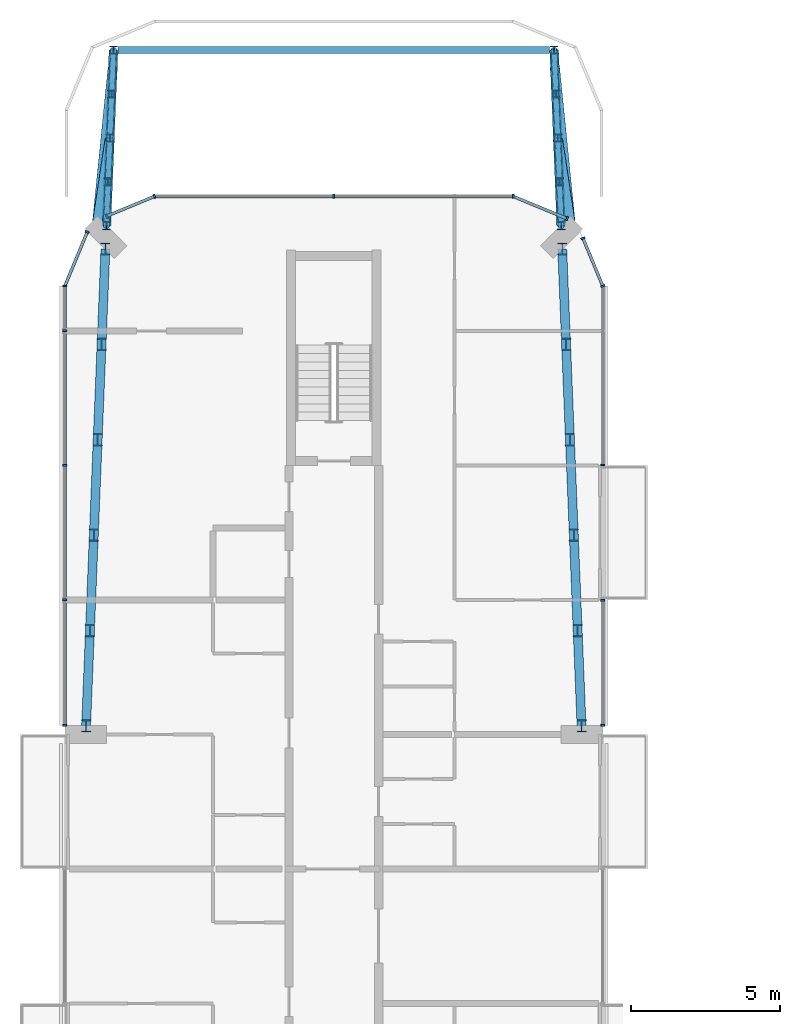
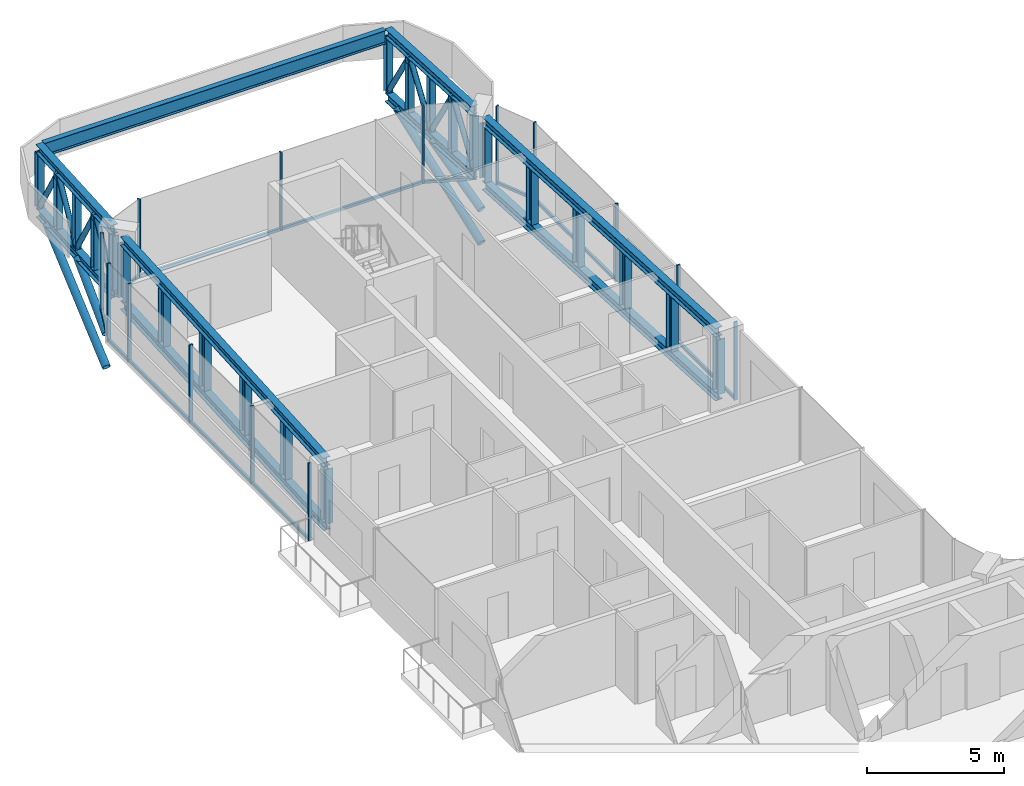
# One storey, part 7 of 17: 66 members, 1 beam, 8 elements without a shape of their own.
"""IFC4 building model written with IfcOpenShell, lengths in metres."""

from ifc_helpers import new_model, si_unit, direction, frame, origin, origin_2d, place, context, subcontext, project, spatial, rectangle, hollow_circle, i_section, extrude, material, layer, layer_set, material_profile, profile_set, type_object, element, aggregate, save


model = new_model("IFC4")

# Units and contexts
model_context = context("Model", 3, precision=1e-05, world=origin(), true_north=direction((0.0, 1.0)))
body_context = subcontext(model_context, "Body", "Model", "MODEL_VIEW")
ifc_project = project(units=[si_unit("LENGTHUNIT", "METRE"), si_unit("AREAUNIT", "SQUARE_METRE"), si_unit("VOLUMEUNIT", "CUBIC_METRE"), si_unit("PLANEANGLEUNIT", "RADIAN"), si_unit("MASSUNIT", "GRAM", prefix="KILO")], contexts=[model_context])

# Site, building, storey
site_placement = place(None, origin())
site = spatial("IfcSite", under=ifc_project, at=site_placement, CompositionType="ELEMENT")
building_placement = place(site_placement, origin())
building = spatial("IfcBuilding", under=site, at=building_placement, Name="Plateau Cross Towers", CompositionType="ELEMENT")
storey_placement = place(building_placement, frame((0.0, 0.0, 222.39990234375)))
storey = spatial("IfcBuildingStorey", under=building, at=storey_placement, Name="L58", CompositionType="ELEMENT", Elevation=222.39990234375)

# Members
ifc_material_1 = material(Name="Steel S355", Category="steel")
ifc_material_profile_1 = material_profile(ifc_material_1, i_section(OverallWidth=0.300048828125, OverallDepth=0.39990234375, WebThickness=0.013427734375, FlangeThickness=0.02392578125, FilletRadius=0.027099609375, at=origin_2d()), Name="HE 400 B")
ifc_profile_set_1 = profile_set([ifc_material_profile_1], Name="Steel S355")
member_type_1 = type_object("IfcMemberType", Name="Cantilever truss back-span chord HE 400 B", PredefinedType="CHORD", material=ifc_profile_set_1)
for number, where, z_axis, x_axis, name in (
    (1, (0.71142578125, 36.280029296875, 0.2001953125), (0.040477157372, 0.999180464046, 0.0), (-0.999180464046, 0.040477157372, 0.0), "CT-W-B1"),
    (2, (0.71142578125, 36.280029296875, 3.050048828125), (0.040477157372, 0.999180464046, 0.0), (-0.999180464046, 0.040477157372, 0.0), "CT-W-T1"),
    (3, (17.28857421875, 36.280029296875, 0.2001953125), (-0.040477157372, 0.999180464046, 0.0), (-0.999180464046, -0.040477157372, 0.0), "CT-E-B1"),
    (4, (17.28857421875, 36.280029296875, 3.050048828125), (-0.040477157372, 0.999180464046, 0.0), (-0.999180464046, -0.040477157372, 0.0), "CT-E-T1"),
):
    element("IfcMember", number, at=place(storey_placement, frame(where, z_axis=z_axis, x_axis=x_axis)), inside=storey, type_object=member_type_1, Name=name, PredefinedType="CHORD", context=body_context, shape_type="SweptSolid", body=[
        extrude(i_section(OverallWidth=0.300048828125, OverallDepth=0.39990234375, WebThickness=0.013427734375, FlangeThickness=0.02392578125, FilletRadius=0.027099609375, at=origin_2d()), origin(), (0.0, 0.0, 1.0), 15.9716796875),
    ])
ifc_material_profile_2 = material_profile(ifc_material_1, i_section(OverallWidth=0.300048828125, OverallDepth=0.39990234375, WebThickness=0.013427734375, FlangeThickness=0.02392578125, FilletRadius=0.027099609375, at=origin_2d()), Name="HE 400 B")
ifc_profile_set_2 = profile_set([ifc_material_profile_2], Name="Steel S355")
member_type_2 = type_object("IfcMemberType", Name="Cantilever truss back-span post HE 400 B", PredefinedType="POST", material=ifc_profile_set_2)
for number, where, z_axis, x_axis, name in (
    (5, (0.71142578125, 36.280029296875, 0.400146484375), (0.0, 0.0, 1.0), (1.0, 0.0, 0.0), "CT-W-V1"),
    (6, (0.840576171875, 39.4716796875, 0.400146484375), (0.0, 0.0, 1.0), (1.0, 0.0, 0.0), "CT-W-V2"),
    (7, (0.969970703125, 42.663330078125, 0.400146484375), (0.0, 0.0, 1.0), (1.0, 0.0, 0.0), "CT-W-V3"),
    (8, (1.099365234375, 45.855224609375, 0.400146484375), (0.0, 0.0, 1.0), (1.0, 0.0, 0.0), "CT-W-V4"),
    (9, (1.228515625, 49.046875, 0.400146484375), (0.0, 0.0, 1.0), (1.0, 0.0, 0.0), "CT-W-V5"),
    (10, (1.35791015625, 52.238525390625, 0.400146484375), (0.0, 0.0, 1.0), (1.0, 0.0, 0.0), "CT-W-V6"),
    (11, (17.28857421875, 36.280029296875, 0.400146484375), (0.0, 0.0, 1.0), (1.0, 0.0, 0.0), "CT-E-V1"),
    (12, (17.159423828125, 39.4716796875, 0.400146484375), (0.0, 0.0, 1.0), (1.0, 0.0, 0.0), "CT-E-V2"),
    (13, (17.030029296875, 42.663330078125, 0.400146484375), (0.0, 0.0, 1.0), (1.0, 0.0, 0.0), "CT-E-V3"),
    (14, (16.900634765625, 45.855224609375, 0.400146484375), (0.0, 0.0, 1.0), (1.0, 0.0, 0.0), "CT-E-V4"),
    (15, (16.771484375, 49.046875, 0.400146484375), (0.0, 0.0, 1.0), (1.0, 0.0, 0.0), "CT-E-V5"),
    (16, (16.64208984375, 52.238525390625, 0.400146484375), (0.0, 0.0, 1.0), (1.0, 0.0, 0.0), "CT-E-V6"),
):
    element("IfcMember", number, at=place(storey_placement, frame(where, z_axis=z_axis, x_axis=x_axis)), inside=storey, type_object=member_type_2, Name=name, PredefinedType="POST", context=body_context, shape_type="SweptSolid", body=[
        extrude(i_section(OverallWidth=0.300048828125, OverallDepth=0.39990234375, WebThickness=0.013427734375, FlangeThickness=0.02392578125, FilletRadius=0.027099609375, at=origin_2d()), origin(), (0.0, 0.0, 1.0), 2.449951171875),
    ])
ifc_material_profile_3 = material_profile(ifc_material_1, i_section(OverallWidth=0.300048828125, OverallDepth=0.39990234375, WebThickness=0.013427734375, FlangeThickness=0.02392578125, FilletRadius=0.027099609375, at=origin_2d()), Name="HE 400 B")
ifc_profile_set_3 = profile_set([ifc_material_profile_3], Name="Steel S355")
member_type_3 = type_object("IfcMemberType", Name="Cantilever truss chord HE 400 B", PredefinedType="CHORD", material=ifc_profile_set_3)
for number, where, z_axis, x_axis, name in (
    (17, (1.389404296875, 53.01416015625, 0.2001953125), (0.040494951798, 0.999179743029, 0.0), (-0.999179743029, 0.040494951798, 0.0), "CT-WC-B1"),
    (18, (1.389404296875, 53.01416015625, 3.050048828125), (0.040494951798, 0.999179743029, 0.0), (-0.999179743029, 0.040494951798, 0.0), "CT-WC-T1"),
    (19, (16.610595703125, 53.01416015625, 0.2001953125), (-0.040494951798, 0.999179743029, 0.0), (-0.999179743029, -0.040494951798, 0.0), "CT-EC-B1"),
    (20, (16.610595703125, 53.01416015625, 3.050048828125), (-0.040494951798, 0.999179743029, 0.0), (-0.999179743029, -0.040494951798, 0.0), "CT-EC-T1"),
):
    element("IfcMember", number, at=place(storey_placement, frame(where, z_axis=z_axis, x_axis=x_axis)), inside=storey, type_object=member_type_3, Name=name, PredefinedType="CHORD", context=body_context, shape_type="SweptSolid", body=[
        extrude(i_section(OverallWidth=0.300048828125, OverallDepth=0.39990234375, WebThickness=0.013427734375, FlangeThickness=0.02392578125, FilletRadius=0.027099609375, at=origin_2d()), origin(), (0.0, 0.0, 1.0), 5.88427734375),
    ])
ifc_material_profile_4 = material_profile(ifc_material_1, hollow_circle(Radius=0.109619140625, WallThickness=0.010009765625, at=origin_2d()), Name="CHS 219.1x10")
ifc_profile_set_4 = profile_set([ifc_material_profile_4], Name="Steel S355")
member_type_4 = type_object("IfcMemberType", Name="Cantilever truss diagonal CHS 219.1x10", PredefinedType="BRACE", material=ifc_profile_set_4)
for number, where, z_axis, x_axis, name in (
    (21, (1.389404296875, 53.01416015625, 0.400146484375), (0.020846238518, 0.514321130655, 0.857344276765), (-0.999179606935, 0.04049830965, 0.0), "CT-WC-D1"),
    (22, (1.448974609375, 54.48388671875, 2.85009765625), (0.020845322493, 0.514383962012, -0.857306603354), (-0.999179879088, 0.040491594502, 0.0), "CT-WC-D2"),
    (23, (1.508544921875, 55.953857421875, 0.400146484375), (0.020846238518, 0.514321130655, 0.857344276765), (-0.999179606935, 0.04049830965, 0.0), "CT-WC-D3"),
    (24, (1.568115234375, 57.423583984375, 2.85009765625), (0.020845322493, 0.514383962012, -0.857306603354), (-0.999179879088, 0.040491594502, 0.0), "CT-WC-D4"),
    (25, (16.610595703125, 53.01416015625, 0.400146484375), (-0.020846238518, 0.514321130655, 0.857344276765), (-0.999179606935, -0.04049830965, 0.0), "CT-EC-D1"),
    (26, (16.551025390625, 54.48388671875, 2.85009765625), (-0.020845322493, 0.514383962012, -0.857306603354), (-0.999179879088, -0.040491594502, 0.0), "CT-EC-D2"),
    (27, (16.491455078125, 55.953857421875, 0.400146484375), (-0.020846238518, 0.514321130655, 0.857344276765), (-0.999179606935, -0.04049830965, 0.0), "CT-EC-D3"),
    (28, (16.431884765625, 57.423583984375, 2.85009765625), (-0.020845322493, 0.514383962012, -0.857306603354), (-0.999179879088, -0.040491594502, 0.0), "CT-EC-D4"),
):
    element("IfcMember", number, at=place(storey_placement, frame(where, z_axis=z_axis, x_axis=x_axis)), inside=storey, type_object=member_type_4, Name=name, PredefinedType="BRACE", context=body_context, shape_type="SweptSolid", body=[
        extrude(hollow_circle(Radius=0.109619140625, WallThickness=0.010009765625, at=origin_2d()), origin(), (0.0, 0.0, 1.0), 2.857666015625),
    ])
ifc_material_profile_5 = material_profile(ifc_material_1, hollow_circle(Radius=0.161865234375, WallThickness=0.012451171875, at=origin_2d()), Name="CHS 323.9x12.5")
ifc_profile_set_5 = profile_set([ifc_material_profile_5], Name="Steel S355")
member_type_5 = type_object("IfcMemberType", Name="Cantilever truss knee strut CHS 323.9x12.5", PredefinedType="BRACE", material=ifc_profile_set_5)
member_1_placement = place(storey_placement, frame((1.603271484375, 58.29345703125, 0.010009765625), z_axis=(-0.086974091879, -0.863966705224, -0.495980886332), x_axis=(0.994971133128, -0.100162089843, 0.0)))
element("IfcMember", 29, at=member_1_placement, inside=storey, type_object=member_type_5, Name="CT-WC-K1", PredefinedType="BRACE", context=body_context, shape_type="SweptSolid", body=[
    extrude(hollow_circle(Radius=0.161865234375, WallThickness=0.012451171875, at=origin_2d()), origin(), (0.0, 0.0, 1.0), 6.08837890625),
])
member_2_placement = place(storey_placement, frame((1.506103515625, 55.8935546875, 0.009521484375), z_axis=(-0.132324423246, -0.875463166108, -0.464816621691), x_axis=(0.988769224326, -0.149450396542, 0.0)))
element("IfcMember", 30, at=member_2_placement, inside=storey, type_object=member_type_5, Name="CT-WC-K2", PredefinedType="BRACE", context=body_context, shape_type="SweptSolid", body=[
    extrude(hollow_circle(Radius=0.161865234375, WallThickness=0.012451171875, at=origin_2d()), origin(), (0.0, 0.0, 1.0), 3.267578125),
])
member_3_placement = place(storey_placement, frame((16.396728515625, 58.29345703125, 0.010009765625), z_axis=(0.086974091879, -0.863966705224, -0.495980886332), x_axis=(0.994971133128, 0.100162089843, 0.0)))
element("IfcMember", 31, at=member_3_placement, inside=storey, type_object=member_type_5, Name="CT-EC-K1", PredefinedType="BRACE", context=body_context, shape_type="SweptSolid", body=[
    extrude(hollow_circle(Radius=0.161865234375, WallThickness=0.012451171875, at=origin_2d()), origin(), (0.0, 0.0, 1.0), 6.08837890625),
])
member_4_placement = place(storey_placement, frame((16.493896484375, 55.8935546875, 0.009521484375), z_axis=(0.132324423246, -0.875463166108, -0.464816621691), x_axis=(0.988769224326, 0.149450396542, 0.0)))
element("IfcMember", 32, at=member_4_placement, inside=storey, type_object=member_type_5, Name="CT-EC-K2", PredefinedType="BRACE", context=body_context, shape_type="SweptSolid", body=[
    extrude(hollow_circle(Radius=0.161865234375, WallThickness=0.012451171875, at=origin_2d()), origin(), (0.0, 0.0, 1.0), 3.267578125),
])
ifc_material_profile_6 = material_profile(ifc_material_1, i_section(OverallWidth=0.25634765625, OverallDepth=0.26025390625, WebThickness=0.01025390625, FlangeThickness=0.017333984375, FilletRadius=0.0126953125, at=origin_2d()), Name="UC 254x254x89")
ifc_profile_set_6 = profile_set([ifc_material_profile_6], Name="Steel S355")
member_type_6 = type_object("IfcMemberType", Name="Cantilever truss post UC 254x254x89", PredefinedType="POST", material=ifc_profile_set_6)
for number, where, z_axis, x_axis, name in (
    (33, (1.389404296875, 53.01416015625, 0.400146484375), (0.0, 0.0, 1.0), (1.0, 0.0, 0.0), "CT-WC-V1"),
    (34, (1.448974609375, 54.48388671875, 0.400146484375), (0.0, 0.0, 1.0), (1.0, 0.0, 0.0), "CT-WC-V2"),
    (35, (1.508544921875, 55.953857421875, 0.400146484375), (0.0, 0.0, 1.0), (1.0, 0.0, 0.0), "CT-WC-V3"),
    (36, (1.568115234375, 57.423583984375, 0.400146484375), (0.0, 0.0, 1.0), (1.0, 0.0, 0.0), "CT-WC-V4"),
    (37, (1.627685546875, 58.8935546875, 0.400146484375), (0.0, 0.0, 1.0), (1.0, 0.0, 0.0), "CT-WC-V5"),
    (38, (16.610595703125, 53.01416015625, 0.400146484375), (0.0, 0.0, 1.0), (1.0, 0.0, 0.0), "CT-EC-V1"),
    (39, (16.551025390625, 54.48388671875, 0.400146484375), (0.0, 0.0, 1.0), (1.0, 0.0, 0.0), "CT-EC-V2"),
    (40, (16.491455078125, 55.953857421875, 0.400146484375), (0.0, 0.0, 1.0), (1.0, 0.0, 0.0), "CT-EC-V3"),
    (41, (16.431884765625, 57.423583984375, 0.400146484375), (0.0, 0.0, 1.0), (1.0, 0.0, 0.0), "CT-EC-V4"),
    (42, (16.372314453125, 58.8935546875, 0.400146484375), (0.0, 0.0, 1.0), (1.0, 0.0, 0.0), "CT-EC-V5"),
):
    element("IfcMember", number, at=place(storey_placement, frame(where, z_axis=z_axis, x_axis=x_axis)), inside=storey, type_object=member_type_6, Name=name, PredefinedType="POST", context=body_context, shape_type="SweptSolid", body=[
        extrude(i_section(OverallWidth=0.25634765625, OverallDepth=0.26025390625, WebThickness=0.01025390625, FlangeThickness=0.017333984375, FilletRadius=0.0126953125, at=origin_2d()), origin(), (0.0, 0.0, 1.0), 2.449951171875),
    ])

# Beam
ifc_material_profile_7 = material_profile(ifc_material_1, i_section(OverallWidth=0.228271484375, OverallDepth=0.607666015625, WebThickness=0.010986328125, FlangeThickness=0.017333984375, FilletRadius=0.0126953125, at=origin_2d()), Name="UB 610x229x113")
ifc_profile_set_7 = profile_set([ifc_material_profile_7], Name="Steel S355")
beam_type = type_object("IfcBeamType", Name="Deck tip beam UB 610x229x113", PredefinedType="BEAM", material=ifc_profile_set_7)
beam_placement = place(storey_placement, frame((1.777587890625, 58.8935546875, 2.9462890625), z_axis=(1.0, 0.0, 0.0), x_axis=(0.0, 1.0, 0.0)))
element("IfcBeam", 43, at=beam_placement, inside=storey, type_object=beam_type, Name="CT-TIP", PredefinedType="BEAM", context=body_context, shape_type="SweptSolid", body=[
    extrude(i_section(OverallWidth=0.228271484375, OverallDepth=0.607666015625, WebThickness=0.010986328125, FlangeThickness=0.017333984375, FilletRadius=0.0126953125, at=origin_2d()), origin(), (0.0, 0.0, 1.0), 14.44482421875),
])

# Curtain wall, members
ifc_material_2 = material(Name="Dark low-iron glass", Category="glass")
ifc_layer = layer(ifc_material_2, 0.239990234375)
ifc_layer_set = layer_set([ifc_layer], Name="Dark low-iron glass")
curtain_wall_type = type_object("IfcCurtainWallType", Name="Curtain wall flush unitised CW-B", PredefinedType="NOTDEFINED", material=ifc_layer_set)
curtain_wall_1_placement = place(storey_placement, origin())
curtain_wall_1 = element("IfcCurtainWall", 44, at=curtain_wall_1_placement, inside=storey, type_object=curtain_wall_type, Name="ENV/A/L58/A180_363", PredefinedType="NOTDEFINED")
ifc_material_3 = material(Name="Black anodised aluminium", Category="aluminium")
ifc_material_profile_8 = material_profile(ifc_material_3, rectangle(XDim=0.06005859375, YDim=0.139892578125, at=origin_2d()), Name="MULLION 60x140")
ifc_profile_set_8 = profile_set([ifc_material_profile_8], Name="Black anodised aluminium")
member_type_7 = type_object("IfcMemberType", Name="Mullion 60x140 flush unitised", PredefinedType="MULLION", material=ifc_profile_set_8)
member_5_placement = place(storey_placement, frame((18.0, 36.300048828125, -0.25), z_axis=(0.0, 0.0, 1.0), x_axis=(0.0, 1.0, 0.0)))
member_5 = element("IfcMember", 45, at=member_5_placement, type_object=member_type_7, Name="CW-B mullion 1", PredefinedType="MULLION", context=body_context, shape_type="SweptSolid", body=[
    extrude(rectangle(XDim=0.06005859375, YDim=0.139892578125, at=origin_2d()), origin(), (0.0, 0.0, 1.0), 3.5),
])
member_6_placement = place(storey_placement, frame((18.0, 40.489990234375, -0.25), z_axis=(0.0, 0.0, 1.0), x_axis=(0.0, 1.0, 0.0)))
member_6 = element("IfcMember", 46, at=member_6_placement, type_object=member_type_7, Name="CW-B mullion 2", PredefinedType="MULLION", context=body_context, shape_type="SweptSolid", body=[
    extrude(rectangle(XDim=0.06005859375, YDim=0.139892578125, at=origin_2d()), origin(), (0.0, 0.0, 1.0), 3.5),
])

# Curtain wall, member
curtain_wall_2_placement = place(storey_placement, origin())
curtain_wall_2 = element("IfcCurtainWall", 47, at=curtain_wall_2_placement, inside=storey, type_object=curtain_wall_type, Name="ENV/A/L58/A180_450", PredefinedType="NOTDEFINED")
member_7_placement = place(storey_placement, frame((18.0, 45.010009765625, -0.25), z_axis=(0.0, 0.0, 1.0), x_axis=(0.0, 1.0, 0.0)))
member_7 = element("IfcMember", 48, at=member_7_placement, type_object=member_type_7, Name="CW-B mullion 1", PredefinedType="MULLION", context=body_context, shape_type="SweptSolid", body=[
    extrude(rectangle(XDim=0.06005859375, YDim=0.139892578125, at=origin_2d()), origin(), (0.0, 0.0, 1.0), 3.5),
])

# Curtain wall, members
curtain_wall_3_placement = place(storey_placement, origin())
curtain_wall_3 = element("IfcCurtainWall", 49, at=curtain_wall_3_placement, inside=storey, type_object=curtain_wall_type, Name="ENV/A/L58/A180_510", PredefinedType="NOTDEFINED")
member_8_placement = place(storey_placement, frame((18.0, 51.0, -0.25), z_axis=(0.0, 0.0, 1.0), x_axis=(-0.382683612978, 0.923879457699, 0.0)))
member_8 = element("IfcMember", 50, at=member_8_placement, type_object=member_type_7, Name="CW-B mullion 1", PredefinedType="MULLION", context=body_context, shape_type="SweptSolid", body=[
    extrude(rectangle(XDim=0.06005859375, YDim=0.139892578125, at=origin_2d()), origin(), (0.0, 0.0, 1.0), 3.5),
])
member_9_placement = place(storey_placement, frame((17.338623046875, 52.5966796875, -0.25), z_axis=(0.0, 0.0, 1.0), x_axis=(-0.382683612978, 0.923879457699, 0.0)))
member_9 = element("IfcMember", 51, at=member_9_placement, type_object=member_type_7, Name="CW-B mullion 2", PredefinedType="MULLION", context=body_context, shape_type="SweptSolid", body=[
    extrude(rectangle(XDim=0.06005859375, YDim=0.139892578125, at=origin_2d()), origin(), (0.0, 0.0, 1.0), 3.5),
])

# Curtain wall, member
curtain_wall_4_placement = place(storey_placement, origin())
curtain_wall_4 = element("IfcCurtainWall", 52, at=curtain_wall_4_placement, inside=storey, type_object=curtain_wall_type, Name="ENV/A/L58/A168_533", PredefinedType="NOTDEFINED")
member_10_placement = place(storey_placement, frame((16.805908203125, 53.251953125, -0.25), z_axis=(0.0, 0.0, 1.0), x_axis=(-0.923879457699, 0.382683612978, 0.0)))
member_10 = element("IfcMember", 53, at=member_10_placement, type_object=member_type_7, Name="CW-B mullion 1", PredefinedType="MULLION", context=body_context, shape_type="SweptSolid", body=[
    extrude(rectangle(XDim=0.06005859375, YDim=0.139892578125, at=origin_2d()), origin(), (0.0, 0.0, 1.0), 3.5),
])

# Curtain wall, members
curtain_wall_5_placement = place(storey_placement, origin())
curtain_wall_5 = element("IfcCurtainWall", 54, at=curtain_wall_5_placement, inside=storey, type_object=curtain_wall_type, Name="ENV/A/L58/A150_540", PredefinedType="NOTDEFINED")
member_11_placement = place(storey_placement, frame((15.0, 54.0, -0.25), z_axis=(0.0, 0.0, 1.0), x_axis=(-1.0, 0.0, 0.0)))
member_11 = element("IfcMember", 55, at=member_11_placement, type_object=member_type_7, Name="CW-B mullion 1", PredefinedType="MULLION", context=body_context, shape_type="SweptSolid", body=[
    extrude(rectangle(XDim=0.06005859375, YDim=0.139892578125, at=origin_2d()), origin(), (0.0, 0.0, 1.0), 3.5),
])
member_12_placement = place(storey_placement, frame((9.0, 54.0, -0.25), z_axis=(0.0, 0.0, 1.0), x_axis=(-1.0, 0.0, 0.0)))
member_12 = element("IfcMember", 56, at=member_12_placement, type_object=member_type_7, Name="CW-B mullion 2", PredefinedType="MULLION", context=body_context, shape_type="SweptSolid", body=[
    extrude(rectangle(XDim=0.06005859375, YDim=0.139892578125, at=origin_2d()), origin(), (0.0, 0.0, 1.0), 3.5),
])

curtain_wall_6_placement = place(storey_placement, origin())
curtain_wall_6 = element("IfcCurtainWall", 57, at=curtain_wall_6_placement, inside=storey, type_object=curtain_wall_type, Name="ENV/A/L58/A30_540", PredefinedType="NOTDEFINED")
member_13_placement = place(storey_placement, frame((3.0, 54.0, -0.25), z_axis=(0.0, 0.0, 1.0), x_axis=(-0.923879457699, -0.382683612978, 0.0)))
member_13 = element("IfcMember", 58, at=member_13_placement, type_object=member_type_7, Name="CW-B mullion 1", PredefinedType="MULLION", context=body_context, shape_type="SweptSolid", body=[
    extrude(rectangle(XDim=0.06005859375, YDim=0.139892578125, at=origin_2d()), origin(), (0.0, 0.0, 1.0), 3.5),
])
member_14_placement = place(storey_placement, frame((1.4033203125, 53.338623046875, -0.25), z_axis=(0.0, 0.0, 1.0), x_axis=(-0.923879457699, -0.382683612978, 0.0)))
member_14 = element("IfcMember", 59, at=member_14_placement, type_object=member_type_7, Name="CW-B mullion 2", PredefinedType="MULLION", context=body_context, shape_type="SweptSolid", body=[
    extrude(rectangle(XDim=0.06005859375, YDim=0.139892578125, at=origin_2d()), origin(), (0.0, 0.0, 1.0), 3.5),
])

# Curtain wall, member
curtain_wall_7_placement = place(storey_placement, origin())
curtain_wall_7 = element("IfcCurtainWall", 60, at=curtain_wall_7_placement, inside=storey, type_object=curtain_wall_type, Name="ENV/A/L58/A7_528", PredefinedType="NOTDEFINED")
member_15_placement = place(storey_placement, frame((0.748046875, 52.805908203125, -0.25), z_axis=(0.0, 0.0, 1.0), x_axis=(-0.382683612978, -0.923879457699, 0.0)))
member_15 = element("IfcMember", 61, at=member_15_placement, type_object=member_type_7, Name="CW-B mullion 1", PredefinedType="MULLION", context=body_context, shape_type="SweptSolid", body=[
    extrude(rectangle(XDim=0.06005859375, YDim=0.139892578125, at=origin_2d()), origin(), (0.0, 0.0, 1.0), 3.5),
])

# Curtain wall, members
curtain_wall_8_placement = place(storey_placement, origin())
curtain_wall_8 = element("IfcCurtainWall", 62, at=curtain_wall_8_placement, inside=storey, type_object=curtain_wall_type, Name="ENV/A/L58/A0_510", PredefinedType="NOTDEFINED")
member_16_placement = place(storey_placement, frame((0.0, 51.0, -0.25), z_axis=(0.0, 0.0, 1.0), x_axis=(0.0, -1.0, 0.0)))
member_16 = element("IfcMember", 63, at=member_16_placement, type_object=member_type_7, Name="CW-B mullion 1", PredefinedType="MULLION", context=body_context, shape_type="SweptSolid", body=[
    extrude(rectangle(XDim=0.06005859375, YDim=0.139892578125, at=origin_2d()), origin(), (0.0, 0.0, 1.0), 3.5),
])
member_17_placement = place(storey_placement, frame((0.0, 49.5, -0.25), z_axis=(0.0, 0.0, 1.0), x_axis=(0.0, -1.0, 0.0)))
member_17 = element("IfcMember", 64, at=member_17_placement, type_object=member_type_7, Name="CW-B mullion 2", PredefinedType="MULLION", context=body_context, shape_type="SweptSolid", body=[
    extrude(rectangle(XDim=0.06005859375, YDim=0.139892578125, at=origin_2d()), origin(), (0.0, 0.0, 1.0), 3.5),
])
member_18_placement = place(storey_placement, frame((0.0, 45.0, -0.25), z_axis=(0.0, 0.0, 1.0), x_axis=(0.0, -1.0, 0.0)))
member_18 = element("IfcMember", 65, at=member_18_placement, type_object=member_type_7, Name="CW-B mullion 3", PredefinedType="MULLION", context=body_context, shape_type="SweptSolid", body=[
    extrude(rectangle(XDim=0.06005859375, YDim=0.139892578125, at=origin_2d()), origin(), (0.0, 0.0, 1.0), 3.5),
])
member_19_placement = place(storey_placement, frame((0.0, 40.5, -0.25), z_axis=(0.0, 0.0, 1.0), x_axis=(0.0, -1.0, 0.0)))
member_19 = element("IfcMember", 66, at=member_19_placement, type_object=member_type_7, Name="CW-B mullion 4", PredefinedType="MULLION", context=body_context, shape_type="SweptSolid", body=[
    extrude(rectangle(XDim=0.06005859375, YDim=0.139892578125, at=origin_2d()), origin(), (0.0, 0.0, 1.0), 3.5),
])
member_20_placement = place(storey_placement, frame((0.0, 36.300048828125, -0.25), z_axis=(0.0, 0.0, 1.0), x_axis=(0.0, -1.0, 0.0)))
member_20 = element("IfcMember", 67, at=member_20_placement, type_object=member_type_7, Name="CW-B mullion 5", PredefinedType="MULLION", context=body_context, shape_type="SweptSolid", body=[
    extrude(rectangle(XDim=0.06005859375, YDim=0.139892578125, at=origin_2d()), origin(), (0.0, 0.0, 1.0), 3.5),
])

# Member
ifc_material_profile_9 = material_profile(ifc_material_3, rectangle(XDim=0.10009765625, YDim=0.1201171875, at=origin_2d()), Name="TRANSOM 100x120")
ifc_profile_set_9 = profile_set([ifc_material_profile_9], Name="Black anodised aluminium")
member_type_8 = type_object("IfcMemberType", Name="Transom 100x120 flush unitised", PredefinedType="USERDEFINED", material=ifc_profile_set_9)
member_21_placement = place(storey_placement, frame((18.0, 36.300048828125, -0.18994140625), z_axis=(0.0, 1.0, 0.0), x_axis=(-1.0, 0.0, 0.0)))
member_21 = element("IfcMember", 68, at=member_21_placement, type_object=member_type_8, Name="CW-B transom", ObjectType="TRANSOM", PredefinedType="USERDEFINED", context=body_context, shape_type="SweptSolid", body=[
    extrude(rectangle(XDim=0.10009765625, YDim=0.1201171875, at=origin_2d()), origin(), (0.0, 0.0, 1.0), 4.18994140625),
])

aggregate(curtain_wall_1, [member_5, member_6, member_21])

member_22_placement = place(storey_placement, frame((18.0, 45.010009765625, -0.18994140625), z_axis=(0.0, 1.0, 0.0), x_axis=(-1.0, 0.0, 0.0)))
member_22 = element("IfcMember", 69, at=member_22_placement, type_object=member_type_8, Name="CW-B transom", ObjectType="TRANSOM", PredefinedType="USERDEFINED", context=body_context, shape_type="SweptSolid", body=[
    extrude(rectangle(XDim=0.10009765625, YDim=0.1201171875, at=origin_2d()), origin(), (0.0, 0.0, 1.0), 5.989990234375),
])

aggregate(curtain_wall_2, [member_7, member_22])

member_23_placement = place(storey_placement, frame((18.0, 51.0, -0.18994140625), z_axis=(-0.382688653628, 0.923877369776, 0.0), x_axis=(-0.923877369776, -0.382688653628, 0.0)))
member_23 = element("IfcMember", 70, at=member_23_placement, type_object=member_type_8, Name="CW-B transom", ObjectType="TRANSOM", PredefinedType="USERDEFINED", context=body_context, shape_type="SweptSolid", body=[
    extrude(rectangle(XDim=0.10009765625, YDim=0.1201171875, at=origin_2d()), origin(), (0.0, 0.0, 1.0), 1.728271484375),
])

aggregate(curtain_wall_3, [member_8, member_9, member_23])

member_24_placement = place(storey_placement, frame((16.805908203125, 53.251953125, -0.18994140625), z_axis=(-0.92387678234, 0.382690071798, 0.0), x_axis=(-0.382690071798, -0.92387678234, 0.0)))
member_24 = element("IfcMember", 71, at=member_24_placement, type_object=member_type_8, Name="CW-B transom", ObjectType="TRANSOM", PredefinedType="USERDEFINED", context=body_context, shape_type="SweptSolid", body=[
    extrude(rectangle(XDim=0.10009765625, YDim=0.1201171875, at=origin_2d()), origin(), (0.0, 0.0, 1.0), 1.95458984375),
])

aggregate(curtain_wall_4, [member_10, member_24])

member_25_placement = place(storey_placement, frame((15.0, 54.0, -0.18994140625), z_axis=(-1.0, 0.0, 0.0), x_axis=(0.0, -1.0, 0.0)))
member_25 = element("IfcMember", 72, at=member_25_placement, type_object=member_type_8, Name="CW-B transom", ObjectType="TRANSOM", PredefinedType="USERDEFINED", context=body_context, shape_type="SweptSolid", body=[
    extrude(rectangle(XDim=0.10009765625, YDim=0.1201171875, at=origin_2d()), origin(), (0.0, 0.0, 1.0), 12.0),
])

aggregate(curtain_wall_5, [member_11, member_12, member_25])

member_26_placement = place(storey_placement, frame((3.0, 54.0, -0.18994140625), z_axis=(-0.923877369776, -0.382688653628, 0.0), x_axis=(0.382688653628, -0.923877369776, 0.0)))
member_26 = element("IfcMember", 73, at=member_26_placement, type_object=member_type_8, Name="CW-B transom", ObjectType="TRANSOM", PredefinedType="USERDEFINED", context=body_context, shape_type="SweptSolid", body=[
    extrude(rectangle(XDim=0.10009765625, YDim=0.1201171875, at=origin_2d()), origin(), (0.0, 0.0, 1.0), 1.728271484375),
])

aggregate(curtain_wall_6, [member_13, member_14, member_26])

member_27_placement = place(storey_placement, frame((0.748046875, 52.805908203125, -0.18994140625), z_axis=(-0.382690071798, -0.92387678234, 0.0), x_axis=(0.92387678234, -0.382690071798, 0.0)))
member_27 = element("IfcMember", 74, at=member_27_placement, type_object=member_type_8, Name="CW-B transom", ObjectType="TRANSOM", PredefinedType="USERDEFINED", context=body_context, shape_type="SweptSolid", body=[
    extrude(rectangle(XDim=0.10009765625, YDim=0.1201171875, at=origin_2d()), origin(), (0.0, 0.0, 1.0), 1.95458984375),
])

aggregate(curtain_wall_7, [member_15, member_27])

member_28_placement = place(storey_placement, frame((0.0, 51.0, -0.18994140625), z_axis=(0.0, -1.0, 0.0), x_axis=(1.0, 0.0, 0.0)))
member_28 = element("IfcMember", 75, at=member_28_placement, type_object=member_type_8, Name="CW-B transom", ObjectType="TRANSOM", PredefinedType="USERDEFINED", context=body_context, shape_type="SweptSolid", body=[
    extrude(rectangle(XDim=0.10009765625, YDim=0.1201171875, at=origin_2d()), origin(), (0.0, 0.0, 1.0), 14.699951171875),
])

aggregate(curtain_wall_8, [member_16, member_17, member_18, member_19, member_20, member_28])

save(model, "model.ifc")
